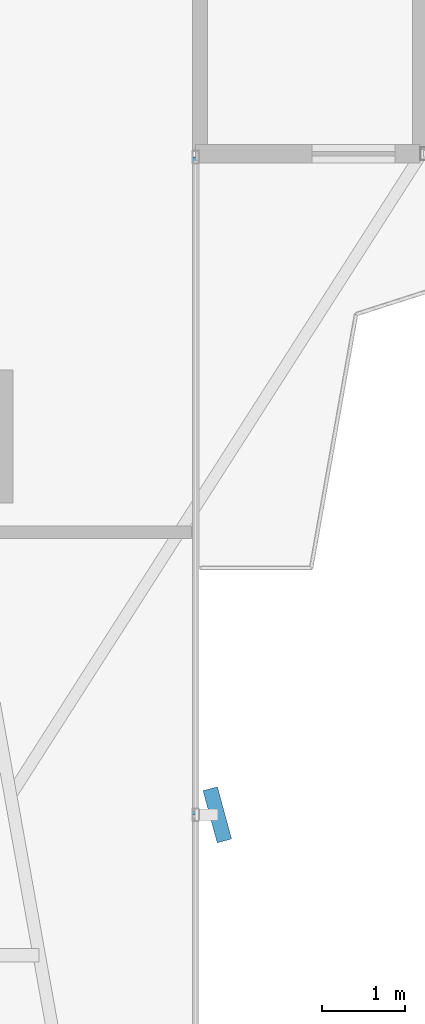
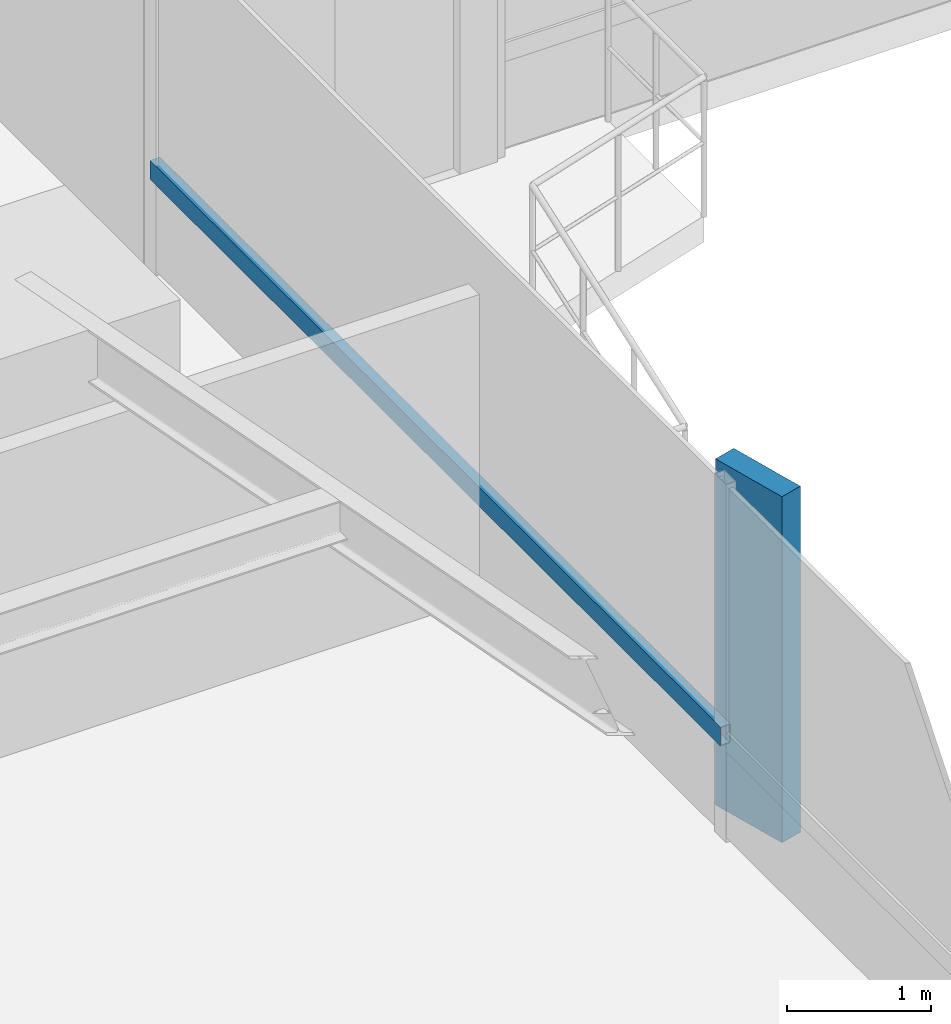
# One storey, part 5 of 25: 2 members, 1 element without a shape of its own.
"""IFC4 building model written with IfcOpenShell, lengths in metres."""

from ifc_helpers import new_model, si_unit, direction, frame, origin, origin_2d, place, context, subcontext, project, spatial, rectangle, hollow_rectangle, extrude, source, transform, mapped, material, material_profile, profile_set, type_object, element, aggregate, save


model = new_model("IFC4")

# Units and contexts
model_context = context("Model", 3, precision=1e-05, world=origin(), true_north=direction((0.0, 1.0)))
body_context = subcontext(model_context, "Body", "Model", "MODEL_VIEW")
ifc_project = project(units=[si_unit("LENGTHUNIT", "METRE"), si_unit("AREAUNIT", "SQUARE_METRE"), si_unit("VOLUMEUNIT", "CUBIC_METRE"), si_unit("PLANEANGLEUNIT", "RADIAN"), si_unit("MASSUNIT", "GRAM", prefix="KILO")], contexts=[model_context])

# Site, building, storey
site_placement = place(None, origin())
site = spatial("IfcSite", under=ifc_project, at=site_placement, CompositionType="ELEMENT")
building_placement = place(site_placement, origin())
building = spatial("IfcBuilding", under=site, at=building_placement, Name="Sahyath Konkavel Grand Hotel", CompositionType="ELEMENT")
storey_placement = place(building_placement, frame((0.0, 0.0, 71.14990234375)))
storey = spatial("IfcBuildingStorey", under=building, at=storey_placement, Name="L19", CompositionType="ELEMENT", Elevation=71.14990234375)

# Curtain wall, members
ifc_material_1 = material(Name="Anodised Bronze Aluminium & Low-E Glazing", Category="aluminium")
curtain_wall_type = type_object("IfcCurtainWallType", Name="CW-ZONE1", PredefinedType="NOTDEFINED", material=ifc_material_1)
curtain_wall_placement = place(storey_placement, origin())
curtain_wall = element("IfcCurtainWall", 1, at=curtain_wall_placement, inside=storey, type_object=curtain_wall_type, Name="L19 Unitised Curtain Wall F31", PredefinedType="NOTDEFINED")
ifc_material_2 = material(Name="Anodised Bronze Aluminium", Category="aluminium")
ifc_material_profile_1 = material_profile(ifc_material_2, hollow_rectangle(XDim=0.080078125, YDim=0.159912109375, WallThickness=0.006103515625, at=origin_2d()), Name="RHS 160x80x6")
ifc_profile_set_1 = profile_set([ifc_material_profile_1], Name="Anodised Bronze Aluminium")
member_type_1 = type_object("IfcMemberType", Name="CW-TRN-160", PredefinedType="USERDEFINED", material=ifc_profile_set_1)
shared_shape_1 = source(origin(), body_context, "Body", "SweptSolid", [
    extrude(hollow_rectangle(XDim=0.080078125, YDim=0.159912109375, WallThickness=0.006103515625, at=origin_2d()), origin(), (0.0, 0.0, 1.0), 7.909912109375),
])
member_1_placement = place(storey_placement, frame((6.800048828125, -14.75, 0.85009765625), z_axis=(0.0, 1.0, 0.0), x_axis=(-1.0, 0.0, 0.0)))
member_1 = element("IfcMember", 2, at=member_1_placement, type_object=member_type_1, Name="L19 Curtain Wall Transom F31-1-spandrel", ObjectType="TRANSOM", PredefinedType="USERDEFINED", context=body_context, shape_type="MappedRepresentation", body=[
    mapped(shared_shape_1, transform((0.0, 0.0, 0.0), scale=1.0)),
])
ifc_material_3 = material(Name="Warm Buff Sandstone Cladding on Concrete C50/60", Category="masonry")
ifc_material_profile_2 = material_profile(ifc_material_3, rectangle(XDim=0.179931640625, YDim=0.64990234375, at=origin_2d()), Name="FIN 180x650")
ifc_profile_set_2 = profile_set([ifc_material_profile_2], Name="Warm Buff Sandstone Cladding on Concrete C50/60")
member_type_2 = type_object("IfcMemberType", Name="FIN-SANDSTONE-650", PredefinedType="MULLION", material=ifc_profile_set_2)
shared_shape_2 = source(origin(), body_context, "Body", "SweptSolid", [
    extrude(rectangle(XDim=0.179931640625, YDim=0.64990234375, at=origin_2d()), origin(), (0.0, 0.0, 1.0), 2.929931640625),
])
member_2_placement = place(storey_placement, frame((7.06005859375, -14.75, 0.050048828125), z_axis=(0.0, 0.0, 1.0), x_axis=(0.965016494472, 0.262189178641, 0.0)))
member_2 = element("IfcMember", 3, at=member_2_placement, type_object=member_type_2, Name="L19 Sandstone Vertical Solar Fin FIN F31-1", PredefinedType="MULLION", context=body_context, shape_type="MappedRepresentation", body=[
    mapped(shared_shape_2, transform((0.0, 0.0, 0.0), scale=1.0)),
])
aggregate(curtain_wall, [member_2, member_1])

save(model, "model.ifc")
